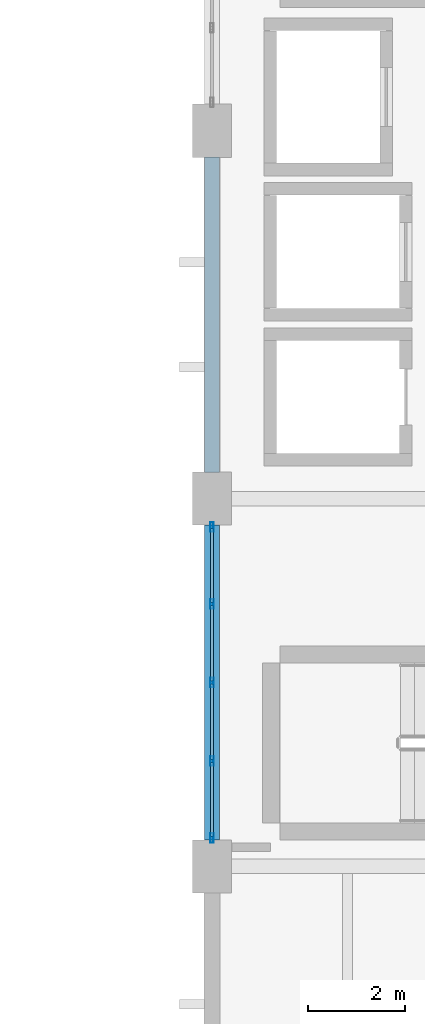
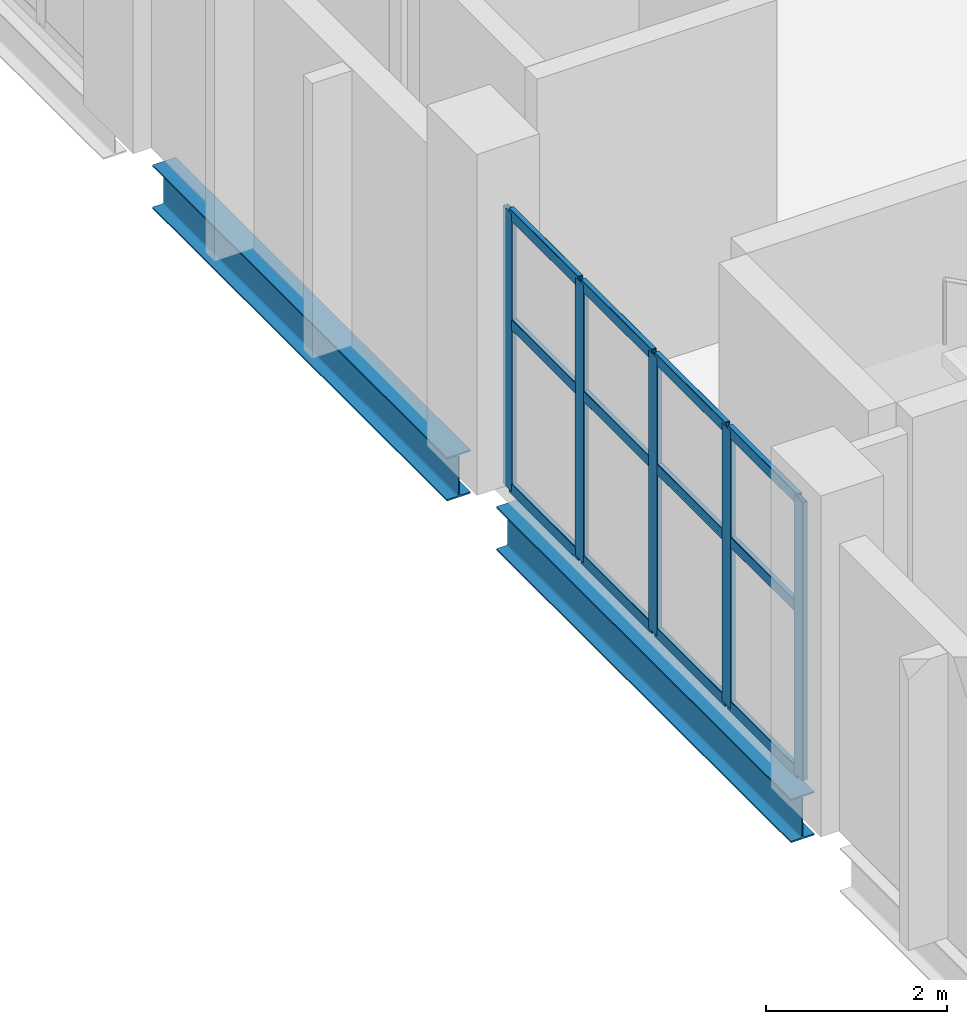
# One storey, part 32 of 74: 17 members, 2 beams, 1 element without a shape of its own.
"""IFC4 building model written with IfcOpenShell, lengths in metres."""

from ifc_helpers import new_model, si_unit, direction, frame, origin, origin_2d, place, context, subcontext, project, spatial, hollow_rectangle, i_section, extrude, material, material_profile, profile_set, type_object, element, aggregate, save


model = new_model("IFC4")

# Units and contexts
model_context = context("Model", 3, precision=1e-05, world=origin(), true_north=direction((0.0, 1.0)))
body_context = subcontext(model_context, "Body", "Model", "MODEL_VIEW")
ifc_project = project(units=[si_unit("LENGTHUNIT", "METRE"), si_unit("AREAUNIT", "SQUARE_METRE"), si_unit("VOLUMEUNIT", "CUBIC_METRE"), si_unit("PLANEANGLEUNIT", "RADIAN"), si_unit("MASSUNIT", "GRAM", prefix="KILO")], contexts=[model_context])

# Site, building, storey
site_placement = place(None, origin())
site = spatial("IfcSite", under=ifc_project, at=site_placement, CompositionType="ELEMENT")
building_placement = place(site_placement, origin())
building = spatial("IfcBuilding", under=site, at=building_placement, Name="Shengluoqiao Park Theatre", CompositionType="ELEMENT")
storey_placement = place(building_placement, frame((0.0, 0.0, 14.60009765625)))
storey = spatial("IfcBuildingStorey", under=building, at=storey_placement, Name="L03", CompositionType="ELEMENT", Elevation=14.60009765625)

# Curtain wall, members
ifc_material_1 = material(Name="Aluminium 6063-T6", Category="aluminium")
curtain_wall_type = type_object("IfcCurtainWallType", Name="ENV-CW-CLERE", PredefinedType="NOTDEFINED", material=ifc_material_1)
curtain_wall_placement = place(storey_placement, origin())
curtain_wall = element("IfcCurtainWall", 1, at=curtain_wall_placement, inside=storey, type_object=curtain_wall_type, Name="L03 Curtain Wall CW-L03-0007", PredefinedType="NOTDEFINED")
ifc_material_profile_1 = material_profile(ifc_material_1, hollow_rectangle(XDim=0.06494140625, YDim=0.199951171875, WallThickness=0.0048828125, InnerFilletRadius=0.0048828125, OuterFilletRadius=0.010009765625, at=origin_2d()), Name="ALU MULLION 200x65x5")
ifc_profile_set_1 = profile_set([ifc_material_profile_1], Name="Aluminium 6063-T6")
member_type_1 = type_object("IfcMemberType", Name="ENV-MUL-200", PredefinedType="MULLION", material=ifc_profile_set_1)
member_1_placement = place(storey_placement, frame((44.39990234375, 84.58642578125, 0.0), z_axis=(0.0, 0.0, 1.0), x_axis=(-1.0, 0.0, 0.0)))
member_1 = element("IfcMember", 2, at=member_1_placement, type_object=member_type_1, Name="CW-06 mullion 1", PredefinedType="MULLION", context=body_context, shape_type="SweptSolid", body=[
    extrude(hollow_rectangle(XDim=0.06494140625, YDim=0.199951171875, WallThickness=0.0048828125, InnerFilletRadius=0.0048828125, OuterFilletRadius=0.010009765625, at=origin_2d()), origin(), (0.0, 0.0, 1.0), 3.75),
])
member_2_placement = place(storey_placement, frame((44.39990234375, 86.177001953125, 0.0), z_axis=(0.0, 0.0, 1.0), x_axis=(-1.0, 0.0, 0.0)))
member_2 = element("IfcMember", 3, at=member_2_placement, type_object=member_type_1, Name="CW-06 mullion 2", PredefinedType="MULLION", context=body_context, shape_type="SweptSolid", body=[
    extrude(hollow_rectangle(XDim=0.06494140625, YDim=0.199951171875, WallThickness=0.0048828125, InnerFilletRadius=0.0048828125, OuterFilletRadius=0.010009765625, at=origin_2d()), origin(), (0.0, 0.0, 1.0), 3.75),
])
member_3_placement = place(storey_placement, frame((44.39990234375, 87.800048828125, 0.0), z_axis=(0.0, 0.0, 1.0), x_axis=(-1.0, 0.0, 0.0)))
member_3 = element("IfcMember", 4, at=member_3_placement, type_object=member_type_1, Name="CW-06 mullion 3", PredefinedType="MULLION", context=body_context, shape_type="SweptSolid", body=[
    extrude(hollow_rectangle(XDim=0.06494140625, YDim=0.199951171875, WallThickness=0.0048828125, InnerFilletRadius=0.0048828125, OuterFilletRadius=0.010009765625, at=origin_2d()), origin(), (0.0, 0.0, 1.0), 3.75),
])
member_4_placement = place(storey_placement, frame((44.39990234375, 89.423095703125, 0.0), z_axis=(0.0, 0.0, 1.0), x_axis=(-1.0, 0.0, 0.0)))
member_4 = element("IfcMember", 5, at=member_4_placement, type_object=member_type_1, Name="CW-06 mullion 4", PredefinedType="MULLION", context=body_context, shape_type="SweptSolid", body=[
    extrude(hollow_rectangle(XDim=0.06494140625, YDim=0.199951171875, WallThickness=0.0048828125, InnerFilletRadius=0.0048828125, OuterFilletRadius=0.010009765625, at=origin_2d()), origin(), (0.0, 0.0, 1.0), 3.75),
])
member_5_placement = place(storey_placement, frame((44.39990234375, 91.013427734375, 0.0), z_axis=(0.0, 0.0, 1.0), x_axis=(-1.0, 0.0, 0.0)))
member_5 = element("IfcMember", 6, at=member_5_placement, type_object=member_type_1, Name="CW-06 mullion 5", PredefinedType="MULLION", context=body_context, shape_type="SweptSolid", body=[
    extrude(hollow_rectangle(XDim=0.06494140625, YDim=0.199951171875, WallThickness=0.0048828125, InnerFilletRadius=0.0048828125, OuterFilletRadius=0.010009765625, at=origin_2d()), origin(), (0.0, 0.0, 1.0), 3.75),
])
ifc_material_profile_2 = material_profile(ifc_material_1, hollow_rectangle(XDim=0.06494140625, YDim=0.14990234375, WallThickness=0.00390625, InnerFilletRadius=0.00390625, OuterFilletRadius=0.008056640625, at=origin_2d()), Name="ALU TRANSOM 150x65x4")
ifc_profile_set_2 = profile_set([ifc_material_profile_2], Name="Aluminium 6063-T6")
member_type_2 = type_object("IfcMemberType", Name="ENV-TRN-150", PredefinedType="USERDEFINED", material=ifc_profile_set_2)
member_6_placement = place(storey_placement, frame((44.39990234375, 84.618896484375, 0.032470703125), z_axis=(0.0, 1.0, 0.0), x_axis=(-1.0, 0.0, 0.0)))
member_6 = element("IfcMember", 7, at=member_6_placement, type_object=member_type_2, Name="CW-06 transom 1.1", ObjectType="TRANSOM", PredefinedType="USERDEFINED", context=body_context, shape_type="SweptSolid", body=[
    extrude(hollow_rectangle(XDim=0.06494140625, YDim=0.14990234375, WallThickness=0.00390625, InnerFilletRadius=0.00390625, OuterFilletRadius=0.008056640625, at=origin_2d()), origin(), (0.0, 0.0, 1.0), 1.525634765625),
])
member_7_placement = place(storey_placement, frame((44.39990234375, 84.618896484375, 2.25), z_axis=(0.0, 1.0, 0.0), x_axis=(-1.0, 0.0, 0.0)))
member_7 = element("IfcMember", 8, at=member_7_placement, type_object=member_type_2, Name="CW-06 transom 1.2", ObjectType="TRANSOM", PredefinedType="USERDEFINED", context=body_context, shape_type="SweptSolid", body=[
    extrude(hollow_rectangle(XDim=0.06494140625, YDim=0.14990234375, WallThickness=0.00390625, InnerFilletRadius=0.00390625, OuterFilletRadius=0.008056640625, at=origin_2d()), origin(), (0.0, 0.0, 1.0), 1.525634765625),
])
member_8_placement = place(storey_placement, frame((44.39990234375, 84.618896484375, 3.71728515625), z_axis=(0.0, 1.0, 0.0), x_axis=(-1.0, 0.0, 0.0)))
member_8 = element("IfcMember", 9, at=member_8_placement, type_object=member_type_2, Name="CW-06 transom 1.3", ObjectType="TRANSOM", PredefinedType="USERDEFINED", context=body_context, shape_type="SweptSolid", body=[
    extrude(hollow_rectangle(XDim=0.06494140625, YDim=0.14990234375, WallThickness=0.00390625, InnerFilletRadius=0.00390625, OuterFilletRadius=0.008056640625, at=origin_2d()), origin(), (0.0, 0.0, 1.0), 1.525634765625),
])
member_9_placement = place(storey_placement, frame((44.39990234375, 86.20947265625, 0.032470703125), z_axis=(0.0, 1.0, 0.0), x_axis=(-1.0, 0.0, 0.0)))
member_9 = element("IfcMember", 10, at=member_9_placement, type_object=member_type_2, Name="CW-06 transom 2.1", ObjectType="TRANSOM", PredefinedType="USERDEFINED", context=body_context, shape_type="SweptSolid", body=[
    extrude(hollow_rectangle(XDim=0.06494140625, YDim=0.14990234375, WallThickness=0.00390625, InnerFilletRadius=0.00390625, OuterFilletRadius=0.008056640625, at=origin_2d()), origin(), (0.0, 0.0, 1.0), 1.55810546875),
])
member_10_placement = place(storey_placement, frame((44.39990234375, 86.20947265625, 2.25), z_axis=(0.0, 1.0, 0.0), x_axis=(-1.0, 0.0, 0.0)))
member_10 = element("IfcMember", 11, at=member_10_placement, type_object=member_type_2, Name="CW-06 transom 2.2", ObjectType="TRANSOM", PredefinedType="USERDEFINED", context=body_context, shape_type="SweptSolid", body=[
    extrude(hollow_rectangle(XDim=0.06494140625, YDim=0.14990234375, WallThickness=0.00390625, InnerFilletRadius=0.00390625, OuterFilletRadius=0.008056640625, at=origin_2d()), origin(), (0.0, 0.0, 1.0), 1.55810546875),
])
member_11_placement = place(storey_placement, frame((44.39990234375, 86.20947265625, 3.71728515625), z_axis=(0.0, 1.0, 0.0), x_axis=(-1.0, 0.0, 0.0)))
member_11 = element("IfcMember", 12, at=member_11_placement, type_object=member_type_2, Name="CW-06 transom 2.3", ObjectType="TRANSOM", PredefinedType="USERDEFINED", context=body_context, shape_type="SweptSolid", body=[
    extrude(hollow_rectangle(XDim=0.06494140625, YDim=0.14990234375, WallThickness=0.00390625, InnerFilletRadius=0.00390625, OuterFilletRadius=0.008056640625, at=origin_2d()), origin(), (0.0, 0.0, 1.0), 1.55810546875),
])
member_12_placement = place(storey_placement, frame((44.39990234375, 87.83251953125, 0.032470703125), z_axis=(0.0, 1.0, 0.0), x_axis=(-1.0, 0.0, 0.0)))
member_12 = element("IfcMember", 13, at=member_12_placement, type_object=member_type_2, Name="CW-06 transom 3.1", ObjectType="TRANSOM", PredefinedType="USERDEFINED", context=body_context, shape_type="SweptSolid", body=[
    extrude(hollow_rectangle(XDim=0.06494140625, YDim=0.14990234375, WallThickness=0.00390625, InnerFilletRadius=0.00390625, OuterFilletRadius=0.008056640625, at=origin_2d()), origin(), (0.0, 0.0, 1.0), 1.557861328125),
])
member_13_placement = place(storey_placement, frame((44.39990234375, 87.83251953125, 2.25), z_axis=(0.0, 1.0, 0.0), x_axis=(-1.0, 0.0, 0.0)))
member_13 = element("IfcMember", 14, at=member_13_placement, type_object=member_type_2, Name="CW-06 transom 3.2", ObjectType="TRANSOM", PredefinedType="USERDEFINED", context=body_context, shape_type="SweptSolid", body=[
    extrude(hollow_rectangle(XDim=0.06494140625, YDim=0.14990234375, WallThickness=0.00390625, InnerFilletRadius=0.00390625, OuterFilletRadius=0.008056640625, at=origin_2d()), origin(), (0.0, 0.0, 1.0), 1.557861328125),
])
member_14_placement = place(storey_placement, frame((44.39990234375, 87.83251953125, 3.71728515625), z_axis=(0.0, 1.0, 0.0), x_axis=(-1.0, 0.0, 0.0)))
member_14 = element("IfcMember", 15, at=member_14_placement, type_object=member_type_2, Name="CW-06 transom 3.3", ObjectType="TRANSOM", PredefinedType="USERDEFINED", context=body_context, shape_type="SweptSolid", body=[
    extrude(hollow_rectangle(XDim=0.06494140625, YDim=0.14990234375, WallThickness=0.00390625, InnerFilletRadius=0.00390625, OuterFilletRadius=0.008056640625, at=origin_2d()), origin(), (0.0, 0.0, 1.0), 1.557861328125),
])
member_15_placement = place(storey_placement, frame((44.39990234375, 89.45556640625, 0.032470703125), z_axis=(0.0, 1.0, 0.0), x_axis=(-1.0, 0.0, 0.0)))
member_15 = element("IfcMember", 16, at=member_15_placement, type_object=member_type_2, Name="CW-06 transom 4.1", ObjectType="TRANSOM", PredefinedType="USERDEFINED", context=body_context, shape_type="SweptSolid", body=[
    extrude(hollow_rectangle(XDim=0.06494140625, YDim=0.14990234375, WallThickness=0.00390625, InnerFilletRadius=0.00390625, OuterFilletRadius=0.008056640625, at=origin_2d()), origin(), (0.0, 0.0, 1.0), 1.525390625),
])
member_16_placement = place(storey_placement, frame((44.39990234375, 89.45556640625, 2.25), z_axis=(0.0, 1.0, 0.0), x_axis=(-1.0, 0.0, 0.0)))
member_16 = element("IfcMember", 17, at=member_16_placement, type_object=member_type_2, Name="CW-06 transom 4.2", ObjectType="TRANSOM", PredefinedType="USERDEFINED", context=body_context, shape_type="SweptSolid", body=[
    extrude(hollow_rectangle(XDim=0.06494140625, YDim=0.14990234375, WallThickness=0.00390625, InnerFilletRadius=0.00390625, OuterFilletRadius=0.008056640625, at=origin_2d()), origin(), (0.0, 0.0, 1.0), 1.525390625),
])
member_17_placement = place(storey_placement, frame((44.39990234375, 89.45556640625, 3.71728515625), z_axis=(0.0, 1.0, 0.0), x_axis=(-1.0, 0.0, 0.0)))
member_17 = element("IfcMember", 18, at=member_17_placement, type_object=member_type_2, Name="CW-06 transom 4.3", ObjectType="TRANSOM", PredefinedType="USERDEFINED", context=body_context, shape_type="SweptSolid", body=[
    extrude(hollow_rectangle(XDim=0.06494140625, YDim=0.14990234375, WallThickness=0.00390625, InnerFilletRadius=0.00390625, OuterFilletRadius=0.008056640625, at=origin_2d()), origin(), (0.0, 0.0, 1.0), 1.525390625),
])
aggregate(curtain_wall, [member_1, member_2, member_3, member_4, member_5, member_6, member_7, member_8, member_9, member_10, member_11, member_12, member_13, member_14, member_15, member_16, member_17])

# Beams
ifc_material_2 = material(Name="Steel Q355", Category="steel")
ifc_material_profile_3 = material_profile(ifc_material_2, i_section(OverallWidth=0.300048828125, OverallDepth=0.587890625, WebThickness=0.011962890625, FlangeThickness=0.02001953125, FilletRadius=0.02392578125, at=origin_2d()), Name="HM 588x300x12x20")
ifc_profile_set_3 = profile_set([ifc_material_profile_3], Name="Steel Q355")
beam_type = type_object("IfcBeamType", Name="STR-BM-G-HM588", PredefinedType="BEAM", material=ifc_profile_set_3)
for number, where, z_axis, x_axis, name in (
    (19, (44.39990234375, 84.5439453125, -0.5341796875), (0.0, 1.0, 0.0), (-1.0, 0.0, 0.0), "L03 Transverse Girder 01215"),
    (20, (44.39990234375, 92.14404296875, -0.5341796875), (0.0, 1.0, 0.0), (-1.0, 0.0, 0.0), "L03 Transverse Girder 01216"),
):
    element("IfcBeam", number, at=place(storey_placement, frame(where, z_axis=z_axis, x_axis=x_axis)), inside=storey, type_object=beam_type, Name=name, PredefinedType="BEAM", context=body_context, shape_type="SweptSolid", body=[
        extrude(i_section(OverallWidth=0.300048828125, OverallDepth=0.587890625, WebThickness=0.011962890625, FlangeThickness=0.02001953125, FilletRadius=0.02392578125, at=origin_2d()), origin(), (0.0, 0.0, 1.0), 6.511962890625),
    ])

save(model, "model.ifc")
